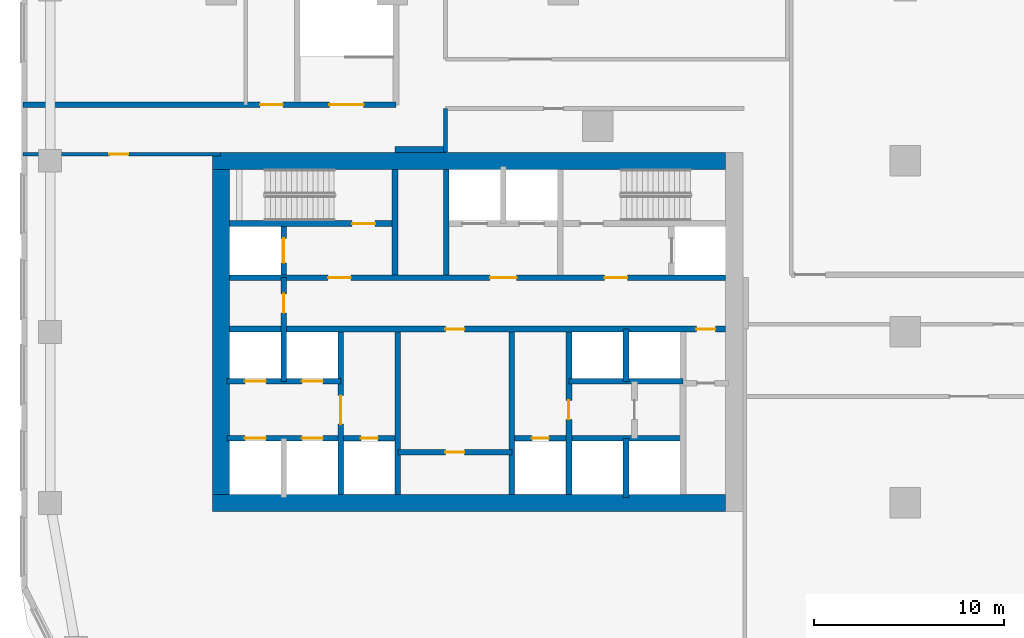
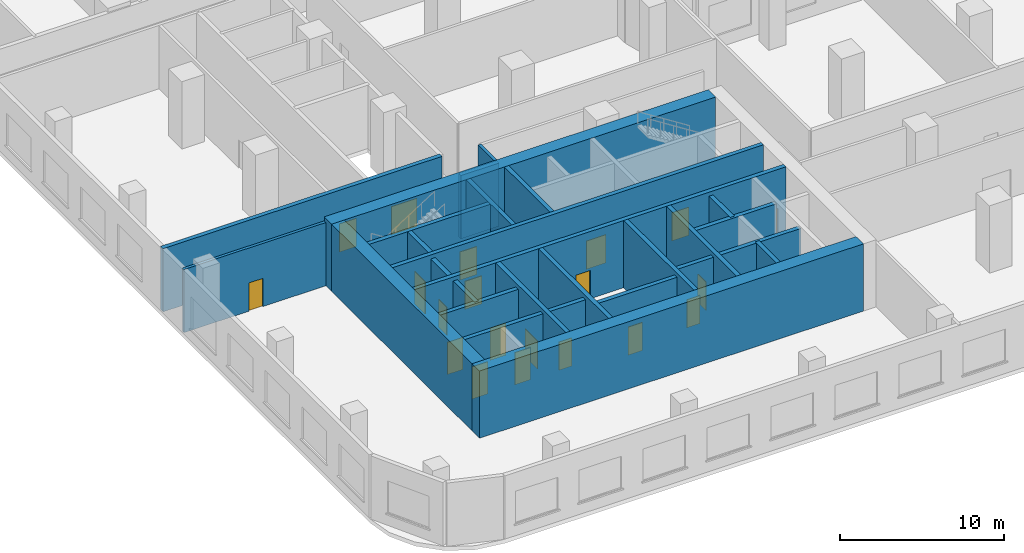
# One storey, part 6 of 33: 25 walls, 20 doors, 20 openings.
"""IFC4 building model written with IfcOpenShell, lengths in metres."""

from ifc_helpers import new_model, si_unit, direction, frame, frame_2d, origin, place, context, subcontext, project, spatial, rectangle, extrude, material, layer, layer_set, type_object, element, fill, save


model = new_model("IFC4")

# Units and contexts
model_context = context("Model", 3, precision=1e-05, world=origin(), true_north=direction((0.0, 1.0)))
body_context = subcontext(model_context, "Body", "Model", "MODEL_VIEW")
ifc_project = project(units=[si_unit("LENGTHUNIT", "METRE"), si_unit("AREAUNIT", "SQUARE_METRE"), si_unit("VOLUMEUNIT", "CUBIC_METRE"), si_unit("PLANEANGLEUNIT", "RADIAN"), si_unit("MASSUNIT", "GRAM", prefix="KILO")], contexts=[model_context])

# Site, building, storey
site_placement = place(None, origin())
site = spatial("IfcSite", under=ifc_project, at=site_placement, CompositionType="ELEMENT")
building_placement = place(site_placement, origin())
building = spatial("IfcBuilding", under=site, at=building_placement, Name="Ogive Portal Towers", CompositionType="ELEMENT")
storey_placement = place(building_placement, frame((0.0, 0.0, 28.5)))
storey = spatial("IfcBuildingStorey", under=building, at=storey_placement, Name="L05", CompositionType="ELEMENT", Elevation=28.5)

# Wall, opening, door
ifc_material_1 = material(Name="Concrete C60/75", Category="concrete")
ifc_layer_1 = layer(ifc_material_1, 0.300048828125)
ifc_layer_set_1 = layer_set([ifc_layer_1], Name="CORE WALL 300 C60")
wall_type_1 = type_object("IfcWallType", Name="CORE WALL 300 C60", PredefinedType="SHEAR", material=ifc_layer_set_1)
wall_1_placement = place(storey_placement, frame((37.800048828125, 21.949951171875, 0.0), z_axis=(0.0, 0.0, 1.0), x_axis=(0.0, 1.0, 0.0)))
wall_1 = element("IfcWall", 1, at=wall_1_placement, inside=storey, type_object=wall_type_1, Name="Core wall X1 L05", PredefinedType="SHEAR", context=body_context, shape_type="SweptSolid", body=[
    extrude(rectangle(XDim=8.550048828125, YDim=0.300048828125, at=frame_2d((4.27490234375, 0.0))), origin(), (0.0, 0.0, 1.0), 5.0),
])
opening_1_placement = place(wall_1_placement, frame((3.699951171875, 0.0, 0.0)))
opening_1 = element("IfcOpeningElement", 2, at=opening_1_placement, cuts=wall_1, Name="Opening D107-001", PredefinedType="OPENING", context=body_context, shape_type="SweptSolid", body=[
    extrude(rectangle(XDim=1.5, YDim=2.10009765625, at=frame_2d((0.75, 1.050048828125))), frame((0.0, 0.16015625, 0.0), z_axis=(0.0, -1.0, 0.0), x_axis=(1.0, 0.0, 0.0)), (0.0, 0.0, 1.0), 0.320068359375),
])
ifc_material_2 = material(Name="Steel fire door", Category="steel")
door_type_1 = type_object("IfcDoorType", Name="DT-SWING-1500x2100-FD90S", OperationType="SINGLE_SWING_LEFT", PredefinedType="DOOR", material=ifc_material_2)
door_1_placement = place(opening_1_placement, origin())
door_1 = element("IfcDoor", 3, at=door_1_placement, inside=storey, type_object=door_type_1, Name="Door D107-001", OperationType="SINGLE_SWING_LEFT", OverallHeight=2.10009765625, OverallWidth=1.5, PredefinedType="DOOR", context=body_context, shape_type="SweptSolid", body=[
    extrude(rectangle(XDim=1.5, YDim=2.10009765625, at=frame_2d((0.75, 1.050048828125))), frame((0.0, 0.02490234375, 0.0), z_axis=(0.0, -1.0, 0.0), x_axis=(1.0, 0.0, 0.0)), (0.0, 0.0, 1.0), 0.050048828125),
])
fill(opening_1, door_1)

# Walls
for number, where, z_axis, x_axis, name in (
    (4, (40.800048828125, 21.949951171875, 0.0), (0.0, 0.0, 1.0), (0.0, 1.0, 0.0), "Core wall X2 L05"),
    (5, (46.800048828125, 21.949951171875, 0.0), (0.0, 0.0, 1.0), (0.0, 1.0, 0.0), "Core wall X3 L05"),
):
    element("IfcWall", number, at=place(storey_placement, frame(where, z_axis=z_axis, x_axis=x_axis)), inside=storey, type_object=wall_type_1, Name=name, PredefinedType="SHEAR", context=body_context, shape_type="SweptSolid", body=[
        extrude(rectangle(XDim=8.550048828125, YDim=0.300048828125, at=frame_2d((4.27490234375, 0.0))), origin(), (0.0, 0.0, 1.0), 5.0),
    ])

# Wall, opening, door
wall_2_placement = place(storey_placement, frame((49.800048828125, 21.949951171875, 0.0), z_axis=(0.0, 0.0, 1.0), x_axis=(0.0, 1.0, 0.0)))
wall_2 = element("IfcWall", 6, at=wall_2_placement, inside=storey, type_object=wall_type_1, Name="Core wall X4 L05", PredefinedType="SHEAR", context=body_context, shape_type="SweptSolid", body=[
    extrude(rectangle(XDim=8.550048828125, YDim=0.300048828125, at=frame_2d((4.27490234375, 0.0))), origin(), (0.0, 0.0, 1.0), 5.0),
])
opening_2_placement = place(wall_2_placement, frame((3.949951171875, 0.0, 0.0)))
opening_2 = element("IfcOpeningElement", 7, at=opening_2_placement, cuts=wall_2, Name="Opening D107-021", PredefinedType="OPENING", context=body_context, shape_type="SweptSolid", body=[
    extrude(rectangle(XDim=1.0, YDim=2.10009765625, at=frame_2d((0.5, 1.050048828125))), frame((0.0, 0.16015625, 0.0), z_axis=(0.0, -1.0, 0.0), x_axis=(1.0, 0.0, 0.0)), (0.0, 0.0, 1.0), 0.320068359375),
])
door_type_2 = type_object("IfcDoorType", Name="DT-SWING-1000x2100-FD90S", OperationType="SINGLE_SWING_LEFT", PredefinedType="DOOR", material=ifc_material_2)
door_2_placement = place(opening_2_placement, origin())
door_2 = element("IfcDoor", 8, at=door_2_placement, inside=storey, type_object=door_type_2, Name="Door D107-021", OperationType="SINGLE_SWING_LEFT", OverallHeight=2.10009765625, OverallWidth=1.0, PredefinedType="DOOR", context=body_context, shape_type="SweptSolid", body=[
    extrude(rectangle(XDim=1.0, YDim=2.10009765625, at=frame_2d((0.5, 1.050048828125))), frame((0.0, 0.02490234375, 0.0), z_axis=(0.0, -1.0, 0.0), x_axis=(1.0, 0.0, 0.0)), (0.0, 0.0, 1.0), 0.050048828125),
])
fill(opening_2, door_2)

# Wall, openings, doors
wall_3_placement = place(storey_placement, frame((31.949951171875, 30.64990234375, 0.0), z_axis=(0.0, 0.0, 1.0), x_axis=(1.0, 0.0, 0.0)))
wall_3 = element("IfcWall", 9, at=wall_3_placement, inside=storey, type_object=wall_type_1, Name="Core wall Y1 L05", PredefinedType="SHEAR", context=body_context, shape_type="SweptSolid", body=[
    extrude(rectangle(XDim=26.10009765625, YDim=0.300048828125, at=frame_2d((13.050048828125, 0.0))), origin(), (0.0, 0.0, 1.0), 5.0),
])
opening_3_placement = place(wall_3_placement, frame((24.550048828125, 0.0, 0.0)))
opening_3 = element("IfcOpeningElement", 10, at=opening_3_placement, cuts=wall_3, Name="Opening D107-009", PredefinedType="OPENING", context=body_context, shape_type="SweptSolid", body=[
    extrude(rectangle(XDim=1.0, YDim=2.10009765625, at=frame_2d((0.5, 1.050048828125))), frame((0.0, 0.16015625, 0.0), z_axis=(0.0, -1.0, 0.0), x_axis=(1.0, 0.0, 0.0)), (0.0, 0.0, 1.0), 0.320068359375),
])
opening_4_placement = place(wall_3_placement, frame((11.35009765625, 0.0, 0.0)))
opening_4 = element("IfcOpeningElement", 11, at=opening_4_placement, cuts=wall_3, Name="Opening D107-019", PredefinedType="OPENING", context=body_context, shape_type="SweptSolid", body=[
    extrude(rectangle(XDim=1.0, YDim=2.10009765625, at=frame_2d((0.5, 1.050048828125))), frame((0.0, 0.16015625, 0.0), z_axis=(0.0, -1.0, 0.0), x_axis=(1.0, 0.0, 0.0)), (0.0, 0.0, 1.0), 0.320068359375),
])
door_3_placement = place(opening_3_placement, origin())
door_3 = element("IfcDoor", 12, at=door_3_placement, inside=storey, type_object=door_type_2, Name="Door D107-009", OperationType="SINGLE_SWING_LEFT", OverallHeight=2.10009765625, OverallWidth=1.0, PredefinedType="DOOR", context=body_context, shape_type="SweptSolid", body=[
    extrude(rectangle(XDim=1.0, YDim=2.10009765625, at=frame_2d((0.5, 1.050048828125))), frame((0.0, 0.02490234375, 0.0), z_axis=(0.0, -1.0, 0.0), x_axis=(1.0, 0.0, 0.0)), (0.0, 0.0, 1.0), 0.050048828125),
])
fill(opening_3, door_3)
door_4_placement = place(opening_4_placement, origin())
door_4 = element("IfcDoor", 13, at=door_4_placement, inside=storey, type_object=door_type_2, Name="Door D107-019", OperationType="SINGLE_SWING_LEFT", OverallHeight=2.10009765625, OverallWidth=1.0, PredefinedType="DOOR", context=body_context, shape_type="SweptSolid", body=[
    extrude(rectangle(XDim=1.0, YDim=2.10009765625, at=frame_2d((0.5, 1.050048828125))), frame((0.0, 0.02490234375, 0.0), z_axis=(0.0, -1.0, 0.0), x_axis=(1.0, 0.0, 0.0)), (0.0, 0.0, 1.0), 0.050048828125),
])
fill(opening_4, door_4)

wall_4_placement = place(storey_placement, frame((31.949951171875, 33.35009765625, 0.0), z_axis=(0.0, 0.0, 1.0), x_axis=(1.0, 0.0, 0.0)))
wall_4 = element("IfcWall", 14, at=wall_4_placement, inside=storey, type_object=wall_type_1, Name="Core wall Y2 L05", PredefinedType="SHEAR", context=body_context, shape_type="SweptSolid", body=[
    extrude(rectangle(XDim=26.10009765625, YDim=0.300048828125, at=frame_2d((13.050048828125, 0.0))), origin(), (0.0, 0.0, 1.0), 5.0),
])
opening_5_placement = place(wall_4_placement, frame((13.699951171875, 0.0, 0.0)))
opening_5 = element("IfcOpeningElement", 15, at=opening_5_placement, cuts=wall_4, Name="Opening D107-002", PredefinedType="OPENING", context=body_context, shape_type="SweptSolid", body=[
    extrude(rectangle(XDim=1.39990234375, YDim=2.10009765625, at=frame_2d((0.699951171875, 1.050048828125))), frame((0.0, 0.16015625, 0.0), z_axis=(0.0, -1.0, 0.0), x_axis=(1.0, 0.0, 0.0)), (0.0, 0.0, 1.0), 0.320068359375),
])
opening_6_placement = place(wall_4_placement, frame((5.175048828125, 0.0, 0.0)))
opening_6 = element("IfcOpeningElement", 16, at=opening_6_placement, cuts=wall_4, Name="Opening D107-003", PredefinedType="OPENING", context=body_context, shape_type="SweptSolid", body=[
    extrude(rectangle(XDim=1.199951171875, YDim=2.10009765625, at=frame_2d((0.60009765625, 1.050048828125))), frame((0.0, 0.16015625, 0.0), z_axis=(0.0, -1.0, 0.0), x_axis=(1.0, 0.0, 0.0)), (0.0, 0.0, 1.0), 0.320068359375),
])
opening_7_placement = place(wall_4_placement, frame((19.72509765625, 0.0, 0.0)))
opening_7 = element("IfcOpeningElement", 17, at=opening_7_placement, cuts=wall_4, Name="Opening D107-004", PredefinedType="OPENING", context=body_context, shape_type="SweptSolid", body=[
    extrude(rectangle(XDim=1.199951171875, YDim=2.10009765625, at=frame_2d((0.60009765625, 1.050048828125))), frame((0.0, 0.16015625, 0.0), z_axis=(0.0, -1.0, 0.0), x_axis=(1.0, 0.0, 0.0)), (0.0, 0.0, 1.0), 0.320068359375),
])
door_type_3 = type_object("IfcDoorType", Name="DT-SWING-1200x2100-FD90S", OperationType="SINGLE_SWING_LEFT", PredefinedType="DOOR", material=ifc_material_2)
door_5_placement = place(opening_6_placement, origin())
door_5 = element("IfcDoor", 18, at=door_5_placement, inside=storey, type_object=door_type_3, Name="Door D107-003", OperationType="SINGLE_SWING_LEFT", OverallHeight=2.10009765625, OverallWidth=1.199951171875, PredefinedType="DOOR", context=body_context, shape_type="SweptSolid", body=[
    extrude(rectangle(XDim=1.199951171875, YDim=2.10009765625, at=frame_2d((0.60009765625, 1.050048828125))), frame((0.0, 0.02490234375, 0.0), z_axis=(0.0, -1.0, 0.0), x_axis=(1.0, 0.0, 0.0)), (0.0, 0.0, 1.0), 0.050048828125),
])
fill(opening_6, door_5)
door_6_placement = place(opening_7_placement, origin())
door_6 = element("IfcDoor", 19, at=door_6_placement, inside=storey, type_object=door_type_3, Name="Door D107-004", OperationType="SINGLE_SWING_RIGHT", OverallHeight=2.10009765625, OverallWidth=1.199951171875, PredefinedType="DOOR", context=body_context, shape_type="SweptSolid", body=[
    extrude(rectangle(XDim=1.199951171875, YDim=2.10009765625, at=frame_2d((0.60009765625, 1.050048828125))), frame((0.0, 0.02490234375, 0.0), z_axis=(0.0, -1.0, 0.0), x_axis=(1.0, 0.0, 0.0)), (0.0, 0.0, 1.0), 0.050048828125),
])
fill(opening_7, door_6)
door_type_4 = type_object("IfcDoorType", Name="DT-SWING-1400x2100-FD90S", OperationType="SINGLE_SWING_LEFT", PredefinedType="DOOR", material=ifc_material_2)
door_7_placement = place(opening_5_placement, origin())
door_7 = element("IfcDoor", 20, at=door_7_placement, inside=storey, type_object=door_type_4, Name="Door D107-002", OperationType="SINGLE_SWING_RIGHT", OverallHeight=2.10009765625, OverallWidth=1.39990234375, PredefinedType="DOOR", context=body_context, shape_type="SweptSolid", body=[
    extrude(rectangle(XDim=1.39990234375, YDim=2.10009765625, at=frame_2d((0.699951171875, 1.050048828125))), frame((0.0, 0.02490234375, 0.0), z_axis=(0.0, -1.0, 0.0), x_axis=(1.0, 0.0, 0.0)), (0.0, 0.0, 1.0), 0.050048828125),
])
fill(opening_5, door_7)

# Wall, opening, door
wall_5_placement = place(storey_placement, frame((31.949951171875, 36.199951171875, 0.0), z_axis=(0.0, 0.0, 1.0), x_axis=(1.0, 0.0, 0.0)))
wall_5 = element("IfcWall", 21, at=wall_5_placement, inside=storey, type_object=wall_type_1, Name="Core wall Y3a L05", PredefinedType="SHEAR", context=body_context, shape_type="SweptSolid", body=[
    extrude(rectangle(XDim=8.550048828125, YDim=0.300048828125, at=frame_2d((4.27490234375, 0.0))), origin(), (0.0, 0.0, 1.0), 5.0),
])
opening_8_placement = place(wall_5_placement, frame((6.449951171875, 0.0, 0.0)))
opening_8 = element("IfcOpeningElement", 22, at=opening_8_placement, cuts=wall_5, Name="Opening D107-005", PredefinedType="OPENING", context=body_context, shape_type="SweptSolid", body=[
    extrude(rectangle(XDim=1.199951171875, YDim=2.10009765625, at=frame_2d((0.60009765625, 1.050048828125))), frame((0.0, 0.16015625, 0.0), z_axis=(0.0, -1.0, 0.0), x_axis=(1.0, 0.0, 0.0)), (0.0, 0.0, 1.0), 0.320068359375),
])
door_8_placement = place(opening_8_placement, origin())
door_8 = element("IfcDoor", 23, at=door_8_placement, inside=storey, type_object=door_type_3, Name="Door D107-005", OperationType="SINGLE_SWING_RIGHT", OverallHeight=2.10009765625, OverallWidth=1.199951171875, PredefinedType="DOOR", context=body_context, shape_type="SweptSolid", body=[
    extrude(rectangle(XDim=1.199951171875, YDim=2.10009765625, at=frame_2d((0.60009765625, 1.050048828125))), frame((0.0, 0.02490234375, 0.0), z_axis=(0.0, -1.0, 0.0), x_axis=(1.0, 0.0, 0.0)), (0.0, 0.0, 1.0), 0.050048828125),
])
fill(opening_8, door_8)

# Walls
for number, where, z_axis, x_axis, name in (
    (24, (40.64990234375, 33.5, 0.0), (0.0, 0.0, 1.0), (0.0, 1.0, 0.0), "Core wall X6 L05"),
    (25, (43.35009765625, 33.5, 0.0), (0.0, 0.0, 1.0), (0.0, 1.0, 0.0), "Core wall X7 L05"),
):
    element("IfcWall", number, at=place(storey_placement, frame(where, z_axis=z_axis, x_axis=x_axis)), inside=storey, type_object=wall_type_1, Name=name, PredefinedType="SHEAR", context=body_context, shape_type="SweptSolid", body=[
        extrude(rectangle(XDim=5.550048828125, YDim=0.300048828125, at=frame_2d((2.77490234375, 0.0))), origin(), (0.0, 0.0, 1.0), 5.0),
    ])

# Wall, opening, door
wall_6_placement = place(storey_placement, frame((34.800048828125, 33.5, 0.0), z_axis=(0.0, 0.0, 1.0), x_axis=(0.0, 1.0, 0.0)))
wall_6 = element("IfcWall", 26, at=wall_6_placement, inside=storey, type_object=wall_type_1, Name="Core wall X8 L05", PredefinedType="SHEAR", context=body_context, shape_type="SweptSolid", body=[
    extrude(rectangle(XDim=2.550048828125, YDim=0.300048828125, at=frame_2d((1.27490234375, 0.0))), origin(), (0.0, 0.0, 1.0), 5.0),
])
opening_9_placement = place(wall_6_placement, frame((0.625, 0.0, 0.0)))
opening_9 = element("IfcOpeningElement", 27, at=opening_9_placement, cuts=wall_6, Name="Opening D107-017", PredefinedType="OPENING", context=body_context, shape_type="SweptSolid", body=[
    extrude(rectangle(XDim=1.300048828125, YDim=2.39990234375, at=frame_2d((0.64990234375, 1.199951171875))), frame((0.0, 0.16015625, 0.0), z_axis=(0.0, -1.0, 0.0), x_axis=(1.0, 0.0, 0.0)), (0.0, 0.0, 1.0), 0.320068359375),
])
ifc_material_3 = material(Name="Stainless steel", Category="steel")
door_type_5 = type_object("IfcDoorType", Name="DT-LD-1300x2400", OperationType="SLIDING_TO_LEFT", PredefinedType="DOOR", material=ifc_material_3)
door_9_placement = place(opening_9_placement, origin())
door_9 = element("IfcDoor", 28, at=door_9_placement, inside=storey, type_object=door_type_5, Name="Door D107-017", OperationType="SLIDING_TO_LEFT", OverallHeight=2.39990234375, OverallWidth=1.300048828125, PredefinedType="DOOR", context=body_context, shape_type="SweptSolid", body=[
    extrude(rectangle(XDim=1.300048828125, YDim=2.39990234375, at=frame_2d((0.64990234375, 1.199951171875))), frame((0.0, 0.02490234375, 0.0), z_axis=(0.0, -1.0, 0.0), x_axis=(1.0, 0.0, 0.0)), (0.0, 0.0, 1.0), 0.050048828125),
])
fill(opening_9, door_9)

# Walls
ifc_layer_2 = layer(ifc_material_1, 0.89990234375)
ifc_layer_set_2 = layer_set([ifc_layer_2], Name="CORE WALL 900 C60")
wall_type_2 = type_object("IfcWallType", Name="CORE WALL 900 C60", PredefinedType="SHEAR", material=ifc_layer_set_2)
wall_7_placement = place(storey_placement, frame((31.5, 21.949951171875, 0.0), z_axis=(0.0, 0.0, 1.0), x_axis=(0.0, 1.0, 0.0)))
element("IfcWall", 29, at=wall_7_placement, inside=storey, type_object=wall_type_2, Name="Core wall W L05", PredefinedType="SHEAR", context=body_context, shape_type="SweptSolid", body=[
    extrude(rectangle(XDim=17.10009765625, YDim=0.89990234375, at=frame_2d((8.550048828125, 0.0))), origin(), (0.0, 0.0, 1.0), 5.0),
])
for number, where, z_axis, x_axis, name in (
    (30, (31.050048828125, 21.5, 0.0), (0.0, 0.0, 1.0), (1.0, 0.0, 0.0), "Core wall S L05"),
    (31, (31.050048828125, 39.5, 0.0), (0.0, 0.0, 1.0), (1.0, 0.0, 0.0), "Core wall N L05"),
):
    element("IfcWall", number, at=place(storey_placement, frame(where, z_axis=z_axis, x_axis=x_axis)), inside=storey, type_object=wall_type_2, Name=name, PredefinedType="SHEAR", context=body_context, shape_type="SweptSolid", body=[
        extrude(rectangle(XDim=27.0, YDim=0.89990234375, at=frame_2d((13.5, 0.0))), origin(), (0.0, 0.0, 1.0), 5.0),
    ])

# Wall, opening, door
ifc_material_4 = material(Name="Gypsum board partition on steel studs", Category="steel")
ifc_layer_3 = layer(ifc_material_4, 0.199951171875)
ifc_layer_set_3 = layer_set([ifc_layer_3], Name="WT-PART-200-EI 60")
wall_type_3 = type_object("IfcWallType", Name="WT-PART-200-EI 60", PredefinedType="PARTITIONING", material=ifc_layer_set_3)
wall_8_placement = place(storey_placement, frame((21.070068359375, 39.85009765625, 0.0), z_axis=(0.0, 0.0, 1.0), x_axis=(1.0, 0.0, 0.0)))
wall_8 = element("IfcWall", 32, at=wall_8_placement, inside=storey, type_object=wall_type_3, Name="Wall L05:w029", PredefinedType="PARTITIONING", context=body_context, shape_type="SweptSolid", body=[
    extrude(rectangle(XDim=10.409912109375, YDim=0.199951171875, at=frame_2d((5.205078125, 0.0))), origin(), (0.0, 0.0, 1.0), 4.699951171875),
])
opening_10_placement = place(wall_8_placement, frame((4.556884765625, 0.0, 0.0)))
opening_10 = element("IfcOpeningElement", 33, at=opening_10_placement, cuts=wall_8, Name="Opening P05-018", PredefinedType="OPENING", context=body_context, shape_type="SweptSolid", body=[
    extrude(rectangle(XDim=1.0, YDim=2.10009765625, at=frame_2d((0.5, 1.050048828125))), frame((0.0, 0.10986328125, 0.0), z_axis=(0.0, -1.0, 0.0), x_axis=(1.0, 0.0, 0.0)), (0.0, 0.0, 1.0), 0.219970703125),
])
door_type_6 = type_object("IfcDoorType", Name="DT-SWING-1000x2100-FD60S", OperationType="SINGLE_SWING_LEFT", PredefinedType="DOOR", material=ifc_material_2)
door_10_placement = place(opening_10_placement, origin())
door_10 = element("IfcDoor", 34, at=door_10_placement, inside=storey, type_object=door_type_6, Name="Door P05-018", OperationType="SINGLE_SWING_RIGHT", OverallHeight=2.10009765625, OverallWidth=1.0, PredefinedType="DOOR", context=body_context, shape_type="SweptSolid", body=[
    extrude(rectangle(XDim=1.0, YDim=2.10009765625, at=frame_2d((0.5, 1.050048828125))), frame((0.0, 0.02490234375, 0.0), z_axis=(0.0, -1.0, 0.0), x_axis=(1.0, 0.0, 0.0)), (0.0, 0.0, 1.0), 0.050048828125),
])
fill(opening_10, door_10)

# Wall
wall_9_placement = place(storey_placement, frame((43.300048828125, 39.969970703125, 0.0), z_axis=(0.0, 0.0, 1.0), x_axis=(0.0, 1.0, 0.0)))
element("IfcWall", 35, at=wall_9_placement, inside=storey, type_object=wall_type_3, Name="Wall L05:w086", PredefinedType="PARTITIONING", context=body_context, shape_type="SweptSolid", body=[
    extrude(rectangle(XDim=2.280029296875, YDim=0.199951171875, at=frame_2d((1.14013671875, 0.0))), origin(), (0.0, 0.0, 1.0), 4.699951171875),
])

# Wall, opening, door
ifc_layer_4 = layer(ifc_material_4, 0.300048828125)
ifc_layer_set_4 = layer_set([ifc_layer_4], Name="WT-PART-300")
wall_type_4 = type_object("IfcWallType", Name="WT-PART-300", PredefinedType="PARTITIONING", material=ifc_layer_set_4)
wall_10_placement = place(storey_placement, frame((40.800048828125, 24.173095703125, 0.0), z_axis=(0.0, 0.0, 1.0), x_axis=(1.0, 0.0, 0.0)))
wall_10 = element("IfcWall", 36, at=wall_10_placement, inside=storey, type_object=wall_type_4, Name="Wall pw:001:L05", PredefinedType="PARTITIONING", context=body_context, shape_type="SweptSolid", body=[
    extrude(rectangle(XDim=6.0, YDim=0.300048828125, at=frame_2d((3.0, 0.0))), origin(), (0.0, 0.0, 1.0), 4.699951171875),
])
opening_11_placement = place(wall_10_placement, frame((2.5, 0.0, 0.0)))
opening_11 = element("IfcOpeningElement", 37, at=opening_11_placement, cuts=wall_10, Name="Opening D107-020", PredefinedType="OPENING", context=body_context, shape_type="SweptSolid", body=[
    extrude(rectangle(XDim=1.0, YDim=2.10009765625, at=frame_2d((0.5, 1.050048828125))), frame((0.0, 0.16015625, 0.0), z_axis=(0.0, -1.0, 0.0), x_axis=(1.0, 0.0, 0.0)), (0.0, 0.0, 1.0), 0.320068359375),
])
door_11_placement = place(opening_11_placement, origin())
door_11 = element("IfcDoor", 38, at=door_11_placement, inside=storey, type_object=door_type_6, Name="Riser access door D107-020", OperationType="SINGLE_SWING_RIGHT", OverallHeight=2.10009765625, OverallWidth=1.0, PredefinedType="DOOR", context=body_context, shape_type="SweptSolid", body=[
    extrude(rectangle(XDim=1.0, YDim=2.10009765625, at=frame_2d((0.5, 1.050048828125))), frame((0.0, 0.02490234375, 0.0), z_axis=(0.0, -1.0, 0.0), x_axis=(1.0, 0.0, 0.0)), (0.0, 0.0, 1.0), 0.050048828125),
])
fill(opening_11, door_11)

# Wall
wall_11_placement = place(storey_placement, frame((40.64990234375, 40.10009765625, 0.0), z_axis=(0.0, 0.0, 1.0), x_axis=(1.0, 0.0, 0.0)))
element("IfcWall", 39, at=wall_11_placement, inside=storey, type_object=wall_type_4, Name="Wall pw:009:L05", PredefinedType="PARTITIONING", context=body_context, shape_type="SweptSolid", body=[
    extrude(rectangle(XDim=2.7001953125, YDim=0.300048828125, at=frame_2d((1.35009765625, 0.0))), origin(), (0.0, 0.0, 1.0), 4.699951171875),
])

# Wall, openings, doors
ifc_material_5 = material(Name="Concrete C40/50", Category="concrete")
ifc_layer_5 = layer(ifc_material_5, 0.300048828125)
ifc_layer_set_5 = layer_set([ifc_layer_5], Name="WT-SHAFT-300")
wall_type_5 = type_object("IfcWallType", Name="WT-SHAFT-300", PredefinedType="SOLIDWALL", material=ifc_layer_set_5)
wall_12_placement = place(storey_placement, frame((31.800048828125, 24.89990234375, 0.0), z_axis=(0.0, 0.0, 1.0), x_axis=(1.0, 0.0, 0.0)))
wall_12 = element("IfcWall", 40, at=wall_12_placement, inside=storey, type_object=wall_type_5, Name="Wall pw:002:L05", PredefinedType="SOLIDWALL", context=body_context, shape_type="SweptSolid", body=[
    extrude(rectangle(XDim=9.0, YDim=0.300048828125, at=frame_2d((4.5, 0.0))), origin(), (0.0, 0.0, 1.0), 4.699951171875),
])
opening_12_placement = place(wall_12_placement, frame((7.050048828125, 0.0, 0.0)))
opening_12 = element("IfcOpeningElement", 41, at=opening_12_placement, cuts=wall_12, Name="Opening D107-007", PredefinedType="OPENING", context=body_context, shape_type="SweptSolid", body=[
    extrude(rectangle(XDim=0.89990234375, YDim=2.10009765625, at=frame_2d((0.449951171875, 1.050048828125))), frame((0.0, 0.16015625, 0.0), z_axis=(0.0, -1.0, 0.0), x_axis=(1.0, 0.0, 0.0)), (0.0, 0.0, 1.0), 0.320068359375),
])
opening_13_placement = place(wall_12_placement, frame((0.949951171875, 0.0, 0.0)))
opening_13 = element("IfcOpeningElement", 42, at=opening_13_placement, cuts=wall_12, Name="Opening D107-011", PredefinedType="OPENING", context=body_context, shape_type="SweptSolid", body=[
    extrude(rectangle(XDim=1.10009765625, YDim=2.39990234375, at=frame_2d((0.550048828125, 1.199951171875))), frame((0.0, 0.16015625, 0.0), z_axis=(0.0, -1.0, 0.0), x_axis=(1.0, 0.0, 0.0)), (0.0, 0.0, 1.0), 0.320068359375),
])
opening_14_placement = place(wall_12_placement, frame((3.949951171875, 0.0, 0.0)))
opening_14 = element("IfcOpeningElement", 43, at=opening_14_placement, cuts=wall_12, Name="Opening D107-012", PredefinedType="OPENING", context=body_context, shape_type="SweptSolid", body=[
    extrude(rectangle(XDim=1.10009765625, YDim=2.39990234375, at=frame_2d((0.550048828125, 1.199951171875))), frame((0.0, 0.16015625, 0.0), z_axis=(0.0, -1.0, 0.0), x_axis=(1.0, 0.0, 0.0)), (0.0, 0.0, 1.0), 0.320068359375),
])
door_type_7 = type_object("IfcDoorType", Name="DT-LD-1100x2400", OperationType="SLIDING_TO_LEFT", PredefinedType="DOOR", material=ifc_material_3)
door_12_placement = place(opening_13_placement, origin())
door_12 = element("IfcDoor", 44, at=door_12_placement, inside=storey, type_object=door_type_7, Name="Door D107-011", OperationType="SLIDING_TO_LEFT", OverallHeight=2.39990234375, OverallWidth=1.10009765625, PredefinedType="DOOR", context=body_context, shape_type="SweptSolid", body=[
    extrude(rectangle(XDim=1.10009765625, YDim=2.39990234375, at=frame_2d((0.550048828125, 1.199951171875))), frame((0.0, 0.02490234375, 0.0), z_axis=(0.0, -1.0, 0.0), x_axis=(1.0, 0.0, 0.0)), (0.0, 0.0, 1.0), 0.050048828125),
])
fill(opening_13, door_12)
door_13_placement = place(opening_14_placement, origin())
door_13 = element("IfcDoor", 45, at=door_13_placement, inside=storey, type_object=door_type_7, Name="Door D107-012", OperationType="SLIDING_TO_LEFT", OverallHeight=2.39990234375, OverallWidth=1.10009765625, PredefinedType="DOOR", context=body_context, shape_type="SweptSolid", body=[
    extrude(rectangle(XDim=1.10009765625, YDim=2.39990234375, at=frame_2d((0.550048828125, 1.199951171875))), frame((0.0, 0.02490234375, 0.0), z_axis=(0.0, -1.0, 0.0), x_axis=(1.0, 0.0, 0.0)), (0.0, 0.0, 1.0), 0.050048828125),
])
fill(opening_14, door_13)
door_type_8 = type_object("IfcDoorType", Name="DT-SWING-900x2100-FD90S", OperationType="SINGLE_SWING_LEFT", PredefinedType="DOOR", material=ifc_material_2)
door_14_placement = place(opening_12_placement, origin())
door_14 = element("IfcDoor", 46, at=door_14_placement, inside=storey, type_object=door_type_8, Name="Riser access door D107-007", OperationType="SINGLE_SWING_LEFT", OverallHeight=2.10009765625, OverallWidth=0.89990234375, PredefinedType="DOOR", context=body_context, shape_type="SweptSolid", body=[
    extrude(rectangle(XDim=0.89990234375, YDim=2.10009765625, at=frame_2d((0.449951171875, 1.050048828125))), frame((0.0, 0.02490234375, 0.0), z_axis=(0.0, -1.0, 0.0), x_axis=(1.0, 0.0, 0.0)), (0.0, 0.0, 1.0), 0.050048828125),
])
fill(opening_12, door_14)

# Wall, opening, door
wall_13_placement = place(storey_placement, frame((46.800048828125, 24.89990234375, 0.0), z_axis=(0.0, 0.0, 1.0), x_axis=(1.0, 0.0, 0.0)))
wall_13 = element("IfcWall", 47, at=wall_13_placement, inside=storey, type_object=wall_type_5, Name="Wall pw:003:L05", PredefinedType="SOLIDWALL", context=body_context, shape_type="SweptSolid", body=[
    extrude(rectangle(XDim=9.0, YDim=0.300048828125, at=frame_2d((4.5, 0.0))), origin(), (0.0, 0.0, 1.0), 4.699951171875),
])
opening_15_placement = place(wall_13_placement, frame((1.050048828125, 0.0, 0.0)))
opening_15 = element("IfcOpeningElement", 48, at=opening_15_placement, cuts=wall_13, Name="Opening D107-008", PredefinedType="OPENING", context=body_context, shape_type="SweptSolid", body=[
    extrude(rectangle(XDim=0.89990234375, YDim=2.10009765625, at=frame_2d((0.449951171875, 1.050048828125))), frame((0.0, 0.16015625, 0.0), z_axis=(0.0, -1.0, 0.0), x_axis=(1.0, 0.0, 0.0)), (0.0, 0.0, 1.0), 0.320068359375),
])
door_15_placement = place(opening_15_placement, origin())
door_15 = element("IfcDoor", 49, at=door_15_placement, inside=storey, type_object=door_type_8, Name="Riser access door D107-008", OperationType="SINGLE_SWING_RIGHT", OverallHeight=2.10009765625, OverallWidth=0.89990234375, PredefinedType="DOOR", context=body_context, shape_type="SweptSolid", body=[
    extrude(rectangle(XDim=0.89990234375, YDim=2.10009765625, at=frame_2d((0.449951171875, 1.050048828125))), frame((0.0, 0.02490234375, 0.0), z_axis=(0.0, -1.0, 0.0), x_axis=(1.0, 0.0, 0.0)), (0.0, 0.0, 1.0), 0.050048828125),
])
fill(opening_15, door_15)

# Wall, openings, doors
wall_14_placement = place(storey_placement, frame((31.800048828125, 27.89990234375, 0.0), z_axis=(0.0, 0.0, 1.0), x_axis=(1.0, 0.0, 0.0)))
wall_14 = element("IfcWall", 50, at=wall_14_placement, inside=storey, type_object=wall_type_5, Name="Wall pw:005:L05", PredefinedType="SOLIDWALL", context=body_context, shape_type="SweptSolid", body=[
    extrude(rectangle(XDim=6.0, YDim=0.300048828125, at=frame_2d((3.0, 0.0))), origin(), (0.0, 0.0, 1.0), 4.699951171875),
])
opening_16_placement = place(wall_14_placement, frame((0.949951171875, 0.0, 0.0)))
opening_16 = element("IfcOpeningElement", 51, at=opening_16_placement, cuts=wall_14, Name="Opening D107-013", PredefinedType="OPENING", context=body_context, shape_type="SweptSolid", body=[
    extrude(rectangle(XDim=1.10009765625, YDim=2.39990234375, at=frame_2d((0.550048828125, 1.199951171875))), frame((0.0, 0.16015625, 0.0), z_axis=(0.0, -1.0, 0.0), x_axis=(1.0, 0.0, 0.0)), (0.0, 0.0, 1.0), 0.320068359375),
])
opening_17_placement = place(wall_14_placement, frame((3.949951171875, 0.0, 0.0)))
opening_17 = element("IfcOpeningElement", 52, at=opening_17_placement, cuts=wall_14, Name="Opening D107-014", PredefinedType="OPENING", context=body_context, shape_type="SweptSolid", body=[
    extrude(rectangle(XDim=1.10009765625, YDim=2.39990234375, at=frame_2d((0.550048828125, 1.199951171875))), frame((0.0, 0.16015625, 0.0), z_axis=(0.0, -1.0, 0.0), x_axis=(1.0, 0.0, 0.0)), (0.0, 0.0, 1.0), 0.320068359375),
])
door_16_placement = place(opening_16_placement, origin())
door_16 = element("IfcDoor", 53, at=door_16_placement, inside=storey, type_object=door_type_7, Name="Door D107-013", OperationType="SLIDING_TO_LEFT", OverallHeight=2.39990234375, OverallWidth=1.10009765625, PredefinedType="DOOR", context=body_context, shape_type="SweptSolid", body=[
    extrude(rectangle(XDim=1.10009765625, YDim=2.39990234375, at=frame_2d((0.550048828125, 1.199951171875))), frame((0.0, 0.02490234375, 0.0), z_axis=(0.0, -1.0, 0.0), x_axis=(1.0, 0.0, 0.0)), (0.0, 0.0, 1.0), 0.050048828125),
])
fill(opening_16, door_16)
door_17_placement = place(opening_17_placement, origin())
door_17 = element("IfcDoor", 54, at=door_17_placement, inside=storey, type_object=door_type_7, Name="Door D107-014", OperationType="SLIDING_TO_LEFT", OverallHeight=2.39990234375, OverallWidth=1.10009765625, PredefinedType="DOOR", context=body_context, shape_type="SweptSolid", body=[
    extrude(rectangle(XDim=1.10009765625, YDim=2.39990234375, at=frame_2d((0.550048828125, 1.199951171875))), frame((0.0, 0.02490234375, 0.0), z_axis=(0.0, -1.0, 0.0), x_axis=(1.0, 0.0, 0.0)), (0.0, 0.0, 1.0), 0.050048828125),
])
fill(opening_17, door_17)

# Wall
wall_15_placement = place(storey_placement, frame((49.800048828125, 27.89990234375, 0.0), z_axis=(0.0, 0.0, 1.0), x_axis=(1.0, 0.0, 0.0)))
element("IfcWall", 55, at=wall_15_placement, inside=storey, type_object=wall_type_5, Name="Wall pw:006:L05", PredefinedType="SOLIDWALL", context=body_context, shape_type="SweptSolid", body=[
    extrude(rectangle(XDim=6.0, YDim=0.300048828125, at=frame_2d((3.0, 0.0))), origin(), (0.0, 0.0, 1.0), 4.699951171875),
])

# Wall, opening, door
wall_16_placement = place(storey_placement, frame((34.800048828125, 27.89990234375, 0.0), z_axis=(0.0, 0.0, 1.0), x_axis=(0.0, 1.0, 0.0)))
wall_16 = element("IfcWall", 56, at=wall_16_placement, inside=storey, type_object=wall_type_5, Name="Wall pw:011:L05", PredefinedType="SOLIDWALL", context=body_context, shape_type="SweptSolid", body=[
    extrude(rectangle(XDim=5.4501953125, YDim=0.300048828125, at=frame_2d((2.72509765625, 0.0))), origin(), (0.0, 0.0, 1.0), 4.699951171875),
])
opening_18_placement = place(wall_16_placement, frame((3.60009765625, 0.0, 0.0)))
opening_18 = element("IfcOpeningElement", 57, at=opening_18_placement, cuts=wall_16, Name="Opening D107-023", PredefinedType="OPENING", context=body_context, shape_type="SweptSolid", body=[
    extrude(rectangle(XDim=1.0, YDim=2.10009765625, at=frame_2d((0.5, 1.050048828125))), frame((0.0, 0.16015625, 0.0), z_axis=(0.0, -1.0, 0.0), x_axis=(1.0, 0.0, 0.0)), (0.0, 0.0, 1.0), 0.320068359375),
])
door_18_placement = place(opening_18_placement, origin())
door_18 = element("IfcDoor", 58, at=door_18_placement, inside=storey, type_object=door_type_2, Name="Door D107-023", OperationType="SINGLE_SWING_LEFT", OverallHeight=2.10009765625, OverallWidth=1.0, PredefinedType="DOOR", context=body_context, shape_type="SweptSolid", body=[
    extrude(rectangle(XDim=1.0, YDim=2.10009765625, at=frame_2d((0.5, 1.050048828125))), frame((0.0, 0.02490234375, 0.0), z_axis=(0.0, -1.0, 0.0), x_axis=(1.0, 0.0, 0.0)), (0.0, 0.0, 1.0), 0.050048828125),
])
fill(opening_18, door_18)

# Walls
wall_17_placement = place(storey_placement, frame((52.800048828125, 21.800048828125, 0.0), z_axis=(0.0, 0.0, 1.0), x_axis=(0.0, 1.0, 0.0)))
element("IfcWall", 59, at=wall_17_placement, inside=storey, type_object=wall_type_5, Name="Wall pw:015:L05", PredefinedType="SOLIDWALL", context=body_context, shape_type="SweptSolid", body=[
    extrude(rectangle(XDim=3.099853515625, YDim=0.300048828125, at=frame_2d((1.5498046875, 0.0))), origin(), (0.0, 0.0, 1.0), 4.699951171875),
])
wall_18_placement = place(storey_placement, frame((52.800048828125, 27.89990234375, 0.0), z_axis=(0.0, 0.0, 1.0), x_axis=(0.0, 1.0, 0.0)))
element("IfcWall", 60, at=wall_18_placement, inside=storey, type_object=wall_type_5, Name="Wall pw:016:L05", PredefinedType="SOLIDWALL", context=body_context, shape_type="SweptSolid", body=[
    extrude(rectangle(XDim=2.75, YDim=0.300048828125, at=frame_2d((1.375, 0.0))), origin(), (0.0, 0.0, 1.0), 4.699951171875),
])

# Wall, openings, doors
wall_19_placement = place(storey_placement, frame((21.070068359375, 42.449951171875, 0.0), z_axis=(0.0, 0.0, 1.0), x_axis=(1.0, 0.0, 0.0)))
wall_19 = element("IfcWall", 61, at=wall_19_placement, inside=storey, type_object=wall_type_5, Name="Wall L05:w039", PredefinedType="SOLIDWALL", context=body_context, shape_type="SweptSolid", body=[
    extrude(rectangle(XDim=19.6298828125, YDim=0.300048828125, at=frame_2d((9.81494140625, 0.0))), origin(), (0.0, 0.0, 1.0), 4.699951171875),
])
opening_19_placement = place(wall_19_placement, frame((16.1298828125, 0.0, 0.0)))
opening_19 = element("IfcOpeningElement", 62, at=opening_19_placement, cuts=wall_19, Name="Opening P05-004", PredefinedType="OPENING", context=body_context, shape_type="SweptSolid", body=[
    extrude(rectangle(XDim=1.800048828125, YDim=2.10009765625, at=frame_2d((0.89990234375, 1.050048828125))), frame((0.0, 0.16015625, 0.0), z_axis=(0.0, -1.0, 0.0), x_axis=(1.0, 0.0, 0.0)), (0.0, 0.0, 1.0), 0.320068359375),
])
opening_20_placement = place(wall_19_placement, frame((12.47998046875, 0.0, 0.0)))
opening_20 = element("IfcOpeningElement", 63, at=opening_20_placement, cuts=wall_19, Name="Opening P05-005", PredefinedType="OPENING", context=body_context, shape_type="SweptSolid", body=[
    extrude(rectangle(XDim=1.199951171875, YDim=2.10009765625, at=frame_2d((0.60009765625, 1.050048828125))), frame((0.0, 0.16015625, 0.0), z_axis=(0.0, -1.0, 0.0), x_axis=(1.0, 0.0, 0.0)), (0.0, 0.0, 1.0), 0.320068359375),
])
door_19_placement = place(opening_20_placement, origin())
door_19 = element("IfcDoor", 64, at=door_19_placement, inside=storey, type_object=door_type_3, Name="Door P05-005", OperationType="SINGLE_SWING_LEFT", OverallHeight=2.10009765625, OverallWidth=1.199951171875, PredefinedType="DOOR", context=body_context, shape_type="SweptSolid", body=[
    extrude(rectangle(XDim=1.199951171875, YDim=2.10009765625, at=frame_2d((0.60009765625, 1.050048828125))), frame((0.0, 0.02490234375, 0.0), z_axis=(0.0, -1.0, 0.0), x_axis=(1.0, 0.0, 0.0)), (0.0, 0.0, 1.0), 0.050048828125),
])
fill(opening_20, door_19)
door_type_9 = type_object("IfcDoorType", Name="DT-SWING-1800x2100-FD90S", OperationType="SINGLE_SWING_LEFT", PredefinedType="DOOR", material=ifc_material_2)
door_20_placement = place(opening_19_placement, origin())
door_20 = element("IfcDoor", 65, at=door_20_placement, inside=storey, type_object=door_type_9, Name="Door P05-004", OperationType="SINGLE_SWING_RIGHT", OverallHeight=2.10009765625, OverallWidth=1.800048828125, PredefinedType="DOOR", context=body_context, shape_type="SweptSolid", body=[
    extrude(rectangle(XDim=1.800048828125, YDim=2.10009765625, at=frame_2d((0.89990234375, 1.050048828125))), frame((0.0, 0.02490234375, 0.0), z_axis=(0.0, -1.0, 0.0), x_axis=(1.0, 0.0, 0.0)), (0.0, 0.0, 1.0), 0.050048828125),
])
fill(opening_19, door_20)

save(model, "model.ifc")
